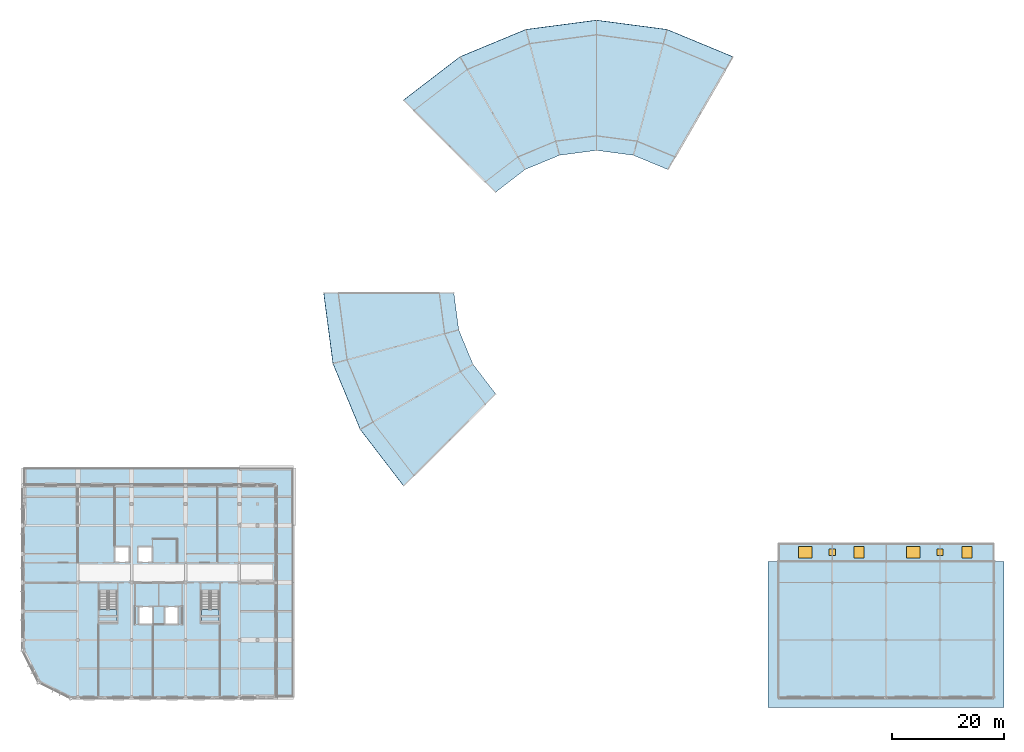
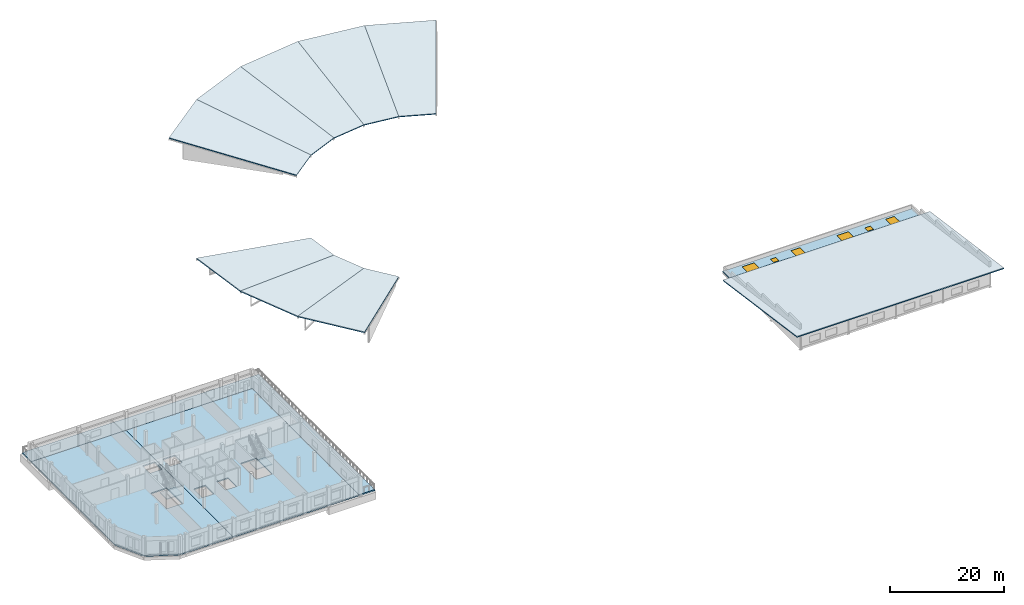
# One storey, part 38 of 70: 15 slabs, 4 windows, 2 doors, 6 openings, 2 elements without a shape of their own.
"""IFC4 building model written with IfcOpenShell, lengths in metres."""

from ifc_helpers import new_model, si_unit, direction, frame, origin, origin_2d, place, context, subcontext, project, spatial, polyline, rectangle, outline, extrude, material, layer, layer_set, type_object, element, fill, aggregate, save


model = new_model("IFC4")

# Units and contexts
model_context = context("Model", 3, precision=1e-05, world=origin(), true_north=direction((0.0, 1.0)))
body_context = subcontext(model_context, "Body", "Model", "MODEL_VIEW")
ifc_project = project(units=[si_unit("LENGTHUNIT", "METRE"), si_unit("AREAUNIT", "SQUARE_METRE"), si_unit("VOLUMEUNIT", "CUBIC_METRE"), si_unit("PLANEANGLEUNIT", "RADIAN"), si_unit("MASSUNIT", "GRAM", prefix="KILO")], contexts=[model_context])

# Site, building, storey
site_placement = place(None, origin())
site = spatial("IfcSite", under=ifc_project, at=site_placement, CompositionType="ELEMENT")
building_placement = place(site_placement, origin())
building = spatial("IfcBuilding", under=site, at=building_placement, Name="Vondelvale Polytechnic", CompositionType="ELEMENT")
storey_placement = place(building_placement, frame((0.0, 0.0, 22.199951171875)))
storey = spatial("IfcBuildingStorey", under=building, at=storey_placement, Name="L05", CompositionType="ELEMENT", Elevation=22.199951171875)

# Slab, openings, doors, windows
ifc_material_1 = material(Name="Concrete N40 (f'c = 40 MPa)", Category="concrete")
ifc_layer_1 = layer(ifc_material_1, 0.179931640625)
ifc_layer_set_1 = layer_set([ifc_layer_1], Name="SLB-CANOPY-180")
slab_type_1 = type_object("IfcSlabType", Name="SLB-CANOPY-180", PredefinedType="ROOF", material=ifc_layer_set_1)
slab_1_placement = place(storey_placement, frame((0.0, 0.0, -0.179931640625)))
slab_1 = element("IfcSlab", 1, at=slab_1_placement, inside=storey, type_object=slab_type_1, Name="Lecture wing North daylight roof monitor slab", PredefinedType="ROOF", context=body_context, shape_type="SweptSolid", body=[
    extrude(outline(polyline([(134.39990234375, 24.199951171875), (172.800048828125, 24.199951171875), (172.800048828125, 27.39990234375), (134.39990234375, 27.39990234375), (134.39990234375, 24.199951171875)])), origin(), (0.0, 0.0, 1.0), 0.179931640625),
])
opening_1_placement = place(slab_1_placement, frame((139.199951171875, 25.800048828125, 0.0)))
opening_1 = element("IfcOpeningElement", 2, at=opening_1_placement, cuts=slab_1, Name="Opening SK-01", PredefinedType="OPENING", context=body_context, shape_type="SweptSolid", body=[
    extrude(rectangle(XDim=2.39990234375, YDim=2.0, at=origin_2d()), origin(), (0.0, 0.0, 1.0), 0.179931640625),
])
opening_2_placement = place(slab_1_placement, frame((148.800048828125, 25.800048828125, 0.0)))
opening_2 = element("IfcOpeningElement", 3, at=opening_2_placement, cuts=slab_1, Name="Opening SK-02", PredefinedType="OPENING", context=body_context, shape_type="SweptSolid", body=[
    extrude(rectangle(XDim=1.800048828125, YDim=2.0, at=origin_2d()), origin(), (0.0, 0.0, 1.0), 0.179931640625),
])
opening_3_placement = place(slab_1_placement, frame((158.39990234375, 25.800048828125, 0.0)))
opening_3 = element("IfcOpeningElement", 4, at=opening_3_placement, cuts=slab_1, Name="Opening SK-03", PredefinedType="OPENING", context=body_context, shape_type="SweptSolid", body=[
    extrude(rectangle(XDim=2.39990234375, YDim=2.0, at=origin_2d()), origin(), (0.0, 0.0, 1.0), 0.179931640625),
])
opening_4_placement = place(slab_1_placement, frame((168.0, 25.800048828125, 0.0)))
opening_4 = element("IfcOpeningElement", 5, at=opening_4_placement, cuts=slab_1, Name="Opening SK-04", PredefinedType="OPENING", context=body_context, shape_type="SweptSolid", body=[
    extrude(rectangle(XDim=1.800048828125, YDim=2.0, at=origin_2d()), origin(), (0.0, 0.0, 1.0), 0.179931640625),
])
opening_5_placement = place(slab_1_placement, frame((144.0, 25.800048828125, 0.0)))
opening_5 = element("IfcOpeningElement", 6, at=opening_5_placement, cuts=slab_1, Name="Opening RH-01", PredefinedType="OPENING", context=body_context, shape_type="SweptSolid", body=[
    extrude(rectangle(XDim=1.10009765625, YDim=1.10009765625, at=origin_2d()), origin(), (0.0, 0.0, 1.0), 0.179931640625),
])
opening_6_placement = place(slab_1_placement, frame((163.199951171875, 25.800048828125, 0.0)))
opening_6 = element("IfcOpeningElement", 7, at=opening_6_placement, cuts=slab_1, Name="Opening RH-02", PredefinedType="OPENING", context=body_context, shape_type="SweptSolid", body=[
    extrude(rectangle(XDim=1.10009765625, YDim=1.10009765625, at=origin_2d()), origin(), (0.0, 0.0, 1.0), 0.179931640625),
])
ifc_material_2 = material(Name="Brushed architectural stainless and zinc-coated metal")
door_type = type_object("IfcDoorType", Name="DR-HATCH-1100x1100", OperationType="SINGLE_SWING_LEFT", PredefinedType="TRAPDOOR", material=ifc_material_2)
door_1_placement = place(opening_5_placement, frame((0.0, 0.0, 0.1298828125)))
door_1 = element("IfcDoor", 8, at=door_1_placement, inside=storey, type_object=door_type, Name="Lecture wing roof maintenance hatch RH-01", OperationType="SINGLE_SWING_LEFT", OverallHeight=1.10009765625, OverallWidth=1.10009765625, PredefinedType="TRAPDOOR", context=body_context, shape_type="SweptSolid", body=[
    extrude(rectangle(XDim=1.10009765625, YDim=1.10009765625, at=origin_2d()), origin(), (0.0, 0.0, 1.0), 0.050048828125),
])
fill(opening_5, door_1)
door_2_placement = place(opening_6_placement, frame((0.0, 0.0, 0.1298828125)))
door_2 = element("IfcDoor", 9, at=door_2_placement, inside=storey, type_object=door_type, Name="Lecture wing roof maintenance hatch RH-02", OperationType="SINGLE_SWING_LEFT", OverallHeight=1.10009765625, OverallWidth=1.10009765625, PredefinedType="TRAPDOOR", context=body_context, shape_type="SweptSolid", body=[
    extrude(rectangle(XDim=1.10009765625, YDim=1.10009765625, at=origin_2d()), origin(), (0.0, 0.0, 1.0), 0.050048828125),
])
fill(opening_6, door_2)
ifc_material_3 = material(Name="Laminated acoustic safety glazing", Category="glass")
window_type_1 = type_object("IfcWindowType", Name="SKY-MOD-1800x2000", PartitioningType="SINGLE_PANEL", PredefinedType="SKYLIGHT", material=ifc_material_3)
window_1_placement = place(opening_2_placement, frame((0.0, 0.0, 0.1298828125)))
window_1 = element("IfcWindow", 10, at=window_1_placement, inside=storey, type_object=window_type_1, Name="Lecture wing daylight roof skylight SK-02", OverallHeight=2.0, OverallWidth=1.800048828125, PartitioningType="SINGLE_PANEL", PredefinedType="SKYLIGHT", context=body_context, shape_type="SweptSolid", body=[
    extrude(rectangle(XDim=1.800048828125, YDim=2.0, at=origin_2d()), origin(), (0.0, 0.0, 1.0), 0.050048828125),
])
fill(opening_2, window_1)
window_2_placement = place(opening_4_placement, frame((0.0, 0.0, 0.1298828125)))
window_2 = element("IfcWindow", 11, at=window_2_placement, inside=storey, type_object=window_type_1, Name="Lecture wing daylight roof skylight SK-04", OverallHeight=2.0, OverallWidth=1.800048828125, PartitioningType="SINGLE_PANEL", PredefinedType="SKYLIGHT", context=body_context, shape_type="SweptSolid", body=[
    extrude(rectangle(XDim=1.800048828125, YDim=2.0, at=origin_2d()), origin(), (0.0, 0.0, 1.0), 0.050048828125),
])
fill(opening_4, window_2)
window_type_2 = type_object("IfcWindowType", Name="SKY-MOD-2400x2000", PartitioningType="SINGLE_PANEL", PredefinedType="SKYLIGHT", material=ifc_material_3)
window_3_placement = place(opening_1_placement, frame((0.0, 0.0, 0.1298828125)))
window_3 = element("IfcWindow", 12, at=window_3_placement, inside=storey, type_object=window_type_2, Name="Lecture wing daylight roof skylight SK-01", OverallHeight=2.0, OverallWidth=2.39990234375, PartitioningType="SINGLE_PANEL", PredefinedType="SKYLIGHT", context=body_context, shape_type="SweptSolid", body=[
    extrude(rectangle(XDim=2.39990234375, YDim=2.0, at=origin_2d()), origin(), (0.0, 0.0, 1.0), 0.050048828125),
])
fill(opening_1, window_3)
window_4_placement = place(opening_3_placement, frame((0.0, 0.0, 0.1298828125)))
window_4 = element("IfcWindow", 13, at=window_4_placement, inside=storey, type_object=window_type_2, Name="Lecture wing daylight roof skylight SK-03", OverallHeight=2.0, OverallWidth=2.39990234375, PartitioningType="SINGLE_PANEL", PredefinedType="SKYLIGHT", context=body_context, shape_type="SweptSolid", body=[
    extrude(rectangle(XDim=2.39990234375, YDim=2.0, at=origin_2d()), origin(), (0.0, 0.0, 1.0), 0.050048828125),
])
fill(opening_3, window_4)

# Slabs
ifc_layer_2 = layer(ifc_material_1, 0.25)
ifc_layer_set_2 = layer_set([ifc_layer_2], Name="SLB-LAB-250")
slab_type_2 = type_object("IfcSlabType", Name="SLB-LAB-250", PredefinedType="FLOOR", material=ifc_layer_set_2)
slab_2_placement = place(storey_placement, frame((0.0, 0.0, -0.25)))
element("IfcSlab", 14, at=slab_2_placement, inside=storey, type_object=slab_type_2, Name="L05 corner wing West slab", PredefinedType="FLOOR", context=body_context, shape_type="SweptSolid", body=[
    extrude(outline(polyline([(8.39990234375, 0.0), (19.199951171875, 0.0), (19.199951171875, 37.60009765625), (0.0, 37.60009765625), (0.0, 8.39990234375), (2.800048828125, 2.800048828125), (8.39990234375, 0.0)]), holes=[polyline([(13.39990234375, 18.75), (13.39990234375, 13.199951171875), (16.60009765625, 13.199951171875), (16.60009765625, 18.75), (13.39990234375, 18.75)]), polyline([(16.300048828125, 24.10009765625), (18.699951171875, 24.10009765625), (18.699951171875, 26.699951171875), (16.300048828125, 26.699951171875), (16.300048828125, 24.10009765625)])]), origin(), (0.0, 0.0, 1.0), 0.25),
])
slab_3_placement = place(storey_placement, frame((0.0, 0.0, -0.25)))
element("IfcSlab", 15, at=slab_3_placement, inside=storey, type_object=slab_type_2, Name="L05 corner wing East slab", PredefinedType="FLOOR", context=body_context, shape_type="SweptSolid", body=[
    extrude(outline(polyline([(19.199951171875, 0.0), (44.800048828125, 0.0), (44.800048828125, 37.60009765625), (19.199951171875, 37.60009765625), (19.199951171875, 0.0)]), holes=[polyline([(31.60009765625, 18.75), (31.60009765625, 13.199951171875), (34.800048828125, 13.199951171875), (34.800048828125, 18.75), (31.60009765625, 18.75)]), polyline([(20.550048828125, 13.050048828125), (22.85009765625, 13.050048828125), (22.85009765625, 16.050048828125), (20.550048828125, 16.050048828125), (20.550048828125, 13.050048828125)]), polyline([(25.14990234375, 13.050048828125), (27.449951171875, 13.050048828125), (27.449951171875, 16.050048828125), (25.14990234375, 16.050048828125), (25.14990234375, 13.050048828125)]), polyline([(20.39990234375, 24.10009765625), (22.800048828125, 24.10009765625), (22.800048828125, 26.699951171875), (20.39990234375, 26.699951171875), (20.39990234375, 24.10009765625)])]), origin(), (0.0, 0.0, 1.0), 0.25),
])

# Stair, slab
stair_type = type_object("IfcStairType", Name="STR-DOG-1500", PredefinedType="HALF_TURN_STAIR", material=ifc_material_1)
stair_1_placement = place(storey_placement, origin())
stair_1 = element("IfcStair", 16, at=stair_1_placement, inside=storey, type_object=stair_type, Name="L05 ST-03", PredefinedType="HALF_TURN_STAIR")
ifc_layer_3 = layer(ifc_material_1, 0.199951171875)
ifc_layer_set_3 = layer_set([ifc_layer_3], Name="SLB-LANDING-200")
slab_type_3 = type_object("IfcSlabType", Name="SLB-LANDING-200", PredefinedType="LANDING", material=ifc_layer_set_3)
slab_4_placement = place(storey_placement, frame((0.0, 0.0, 1.900146484375)))
slab_4 = element("IfcSlab", 17, at=slab_4_placement, type_object=slab_type_3, Name="ST-03 landing 1", PredefinedType="LANDING", context=body_context, shape_type="SweptSolid", body=[
    extrude(outline(polyline([(13.39990234375, 15.614990234375), (13.39990234375, 13.199951171875), (16.60009765625, 13.199951171875), (16.60009765625, 15.614990234375), (13.39990234375, 15.614990234375)])), origin(), (0.0, 0.0, 1.0), 0.199951171875),
])
aggregate(stair_1, [slab_4])

stair_2_placement = place(storey_placement, origin())
stair_2 = element("IfcStair", 18, at=stair_2_placement, inside=storey, type_object=stair_type, Name="L05 ST-04", PredefinedType="HALF_TURN_STAIR")
slab_5_placement = place(storey_placement, frame((0.0, 0.0, 1.900146484375)))
slab_5 = element("IfcSlab", 19, at=slab_5_placement, type_object=slab_type_3, Name="ST-04 landing 1", PredefinedType="LANDING", context=body_context, shape_type="SweptSolid", body=[
    extrude(outline(polyline([(31.60009765625, 15.614990234375), (31.60009765625, 13.199951171875), (34.800048828125, 13.199951171875), (34.800048828125, 15.614990234375), (31.60009765625, 15.614990234375)])), origin(), (0.0, 0.0, 1.0), 0.199951171875),
])
aggregate(stair_2, [slab_5])

# Slabs
ifc_layer_4 = layer(ifc_material_1, 0.199951171875)
ifc_layer_set_4 = layer_set([ifc_layer_4], Name="SLB-ROOF-200")
slab_type_4 = type_object("IfcSlabType", Name="SLB-ROOF-200", PredefinedType="ROOF", material=ifc_layer_set_4)
slab_6_placement = place(storey_placement, frame((132.60009765625, -1.800048828125, 4.300048828125), z_axis=(0.0, 0.139017745797, 0.990289890059), x_axis=(1.0, 0.0, 0.0)))
element("IfcSlab", 20, at=slab_6_placement, inside=storey, type_object=slab_type_4, Name="Lecture wing inward-sloping roof slab", PredefinedType="ROOF", context=body_context, shape_type="SweptSolid", body=[
    extrude(outline(polyline([(0.0, 0.0), (42.0, 0.0), (42.0, 26.254938337747273), (0.0, 26.254938337747273), (0.0, 0.0)])), origin(), (0.0, 0.0, -1.0), 0.199951171875),
])
slab_7_placement = place(storey_placement, frame((114.699951171875, 93.9970703125, 0.300048828125), z_axis=(-0.062376311028, -0.150590999507, 0.986626346035), x_axis=(0.493427837562, 0.854635232916, 0.161640303693)))
element("IfcSlab", 21, at=slab_7_placement, inside=storey, type_object=slab_type_4, Name="Ring inward-sloping dark roof slab sector 04", PredefinedType="ROOF", context=body_context, shape_type="SweptSolid", body=[
    extrude(outline(polyline([(0.0, 0.0), (23.50920965061897, 1.4988010832439613e-15), (21.874973070490455, 12.58151533349702), (-0.854215655375723, 6.575413851727523), (0.0, 0.0)])), origin(), (0.0, 0.0, -1.0), 0.199951171875),
])
slab_8_placement = place(storey_placement, frame((108.573974609375, 96.534423828125, 0.300048828125), z_axis=(-0.021275467916, -0.161603329064, 0.986626433104), x_axis=(0.255414977461, 0.953223858358, 0.161639924354)))
element("IfcSlab", 22, at=slab_8_placement, inside=storey, type_object=slab_type_4, Name="Ring inward-sloping dark roof slab sector 05", PredefinedType="ROOF", context=body_context, shape_type="SweptSolid", body=[
    extrude(outline(polyline([(0.0, 0.0), (23.50934442185768, 1.0408340855860843e-15), (21.875122488874485, 12.581462004047061), (-0.8540968066921539, 6.575463015675313), (0.0, 0.0)])), origin(), (0.0, 0.0, -1.0), 0.199951171875),
])
slab_9_placement = place(storey_placement, frame((102.0, 97.39990234375, 0.300048828125), z_axis=(0.021275467916, -0.161603329064, 0.986626433104), x_axis=(1.6e-10, 0.986849804964, 0.161639915995)))
element("IfcSlab", 23, at=slab_9_placement, inside=storey, type_object=slab_type_4, Name="Ring inward-sloping dark roof slab sector 06", PredefinedType="ROOF", context=body_context, shape_type="SweptSolid", body=[
    extrude(outline(polyline([(0.0, 0.0), (23.50934779261818, 0.0), (21.875118731265488, 12.58146107813212), (-0.8540973053951506, 6.575462950898008), (0.0, 0.0)])), origin(), (0.0, 0.0, -1.0), 0.199951171875),
])
slab_10_placement = place(storey_placement, frame((95.426025390625, 96.534423828125, 0.300048828125), z_axis=(0.062376311028, -0.150590999507, 0.986626346035), x_axis=(-0.255414942232, 0.95322377248, 0.161640486462)))
element("IfcSlab", 24, at=slab_10_placement, inside=storey, type_object=slab_type_4, Name="Ring inward-sloping dark roof slab sector 07", PredefinedType="ROOF", context=body_context, shape_type="SweptSolid", body=[
    extrude(outline(polyline([(0.0, 0.0), (23.509344421853964, 0.0), (21.87505868655071, 12.581508948541707), (-0.853999740453026, 6.575441897749939), (0.0, 0.0)])), origin(), (0.0, 0.0, -1.0), 0.199951171875),
])
slab_11_placement = place(storey_placement, frame((89.300048828125, 93.9970703125, 0.300048828125), z_axis=(0.09922705884, -0.129315091006, 0.986626372054), x_axis=(-0.493427854302, 0.854635215769, 0.161640343248)))
element("IfcSlab", 25, at=slab_11_placement, inside=storey, type_object=slab_type_4, Name="Ring inward-sloping dark roof slab sector 08", PredefinedType="ROOF", context=body_context, shape_type="SweptSolid", body=[
    extrude(outline(polyline([(0.0, 0.0), (23.50920965061948, -2.2898349882893854e-15), (21.87509307989471, 12.58146535201625), (-0.8541622756052316, 6.575527078680868), (0.0, 0.0)])), origin(), (0.0, 0.0, -1.0), 0.199951171875),
])
slab_12_placement = place(storey_placement, frame((76.60009765625, 72.0, 0.300048828125), z_axis=(0.161603329064, 0.021275467916, 0.986626433104), x_axis=(-0.986849804964, 1.6e-10, 0.161639915995)))
element("IfcSlab", 26, at=slab_12_placement, inside=storey, type_object=slab_type_4, Name="Ring inward-sloping dark roof slab sector 12", PredefinedType="ROOF", context=body_context, shape_type="SweptSolid", body=[
    extrude(outline(polyline([(0.0, 0.0), (23.50934779261818, 0.0), (21.875118731265488, 12.58146107813212), (-0.8540973053951506, 6.575462950898008), (0.0, 0.0)])), origin(), (0.0, 0.0, -1.0), 0.199951171875),
])
slab_13_placement = place(storey_placement, frame((77.465576171875, 65.426025390625, 0.300048828125), z_axis=(0.150590999507, 0.062376311028, 0.986626346035), x_axis=(-0.95322377248, -0.255414942232, 0.161640486462)))
element("IfcSlab", 27, at=slab_13_placement, inside=storey, type_object=slab_type_4, Name="Ring inward-sloping dark roof slab sector 13", PredefinedType="ROOF", context=body_context, shape_type="SweptSolid", body=[
    extrude(outline(polyline([(0.0, 0.0), (23.509344421853964, 0.0), (21.87505868655071, 12.581508948541707), (-0.853999740453026, 6.575441897749939), (0.0, 0.0)])), origin(), (0.0, 0.0, -1.0), 0.199951171875),
])
slab_14_placement = place(storey_placement, frame((80.0029296875, 59.300048828125, 0.300048828125), z_axis=(0.129315091006, 0.09922705884, 0.986626372054), x_axis=(-0.854635215769, -0.493427854302, 0.161640343248)))
element("IfcSlab", 28, at=slab_14_placement, inside=storey, type_object=slab_type_4, Name="Ring inward-sloping dark roof slab sector 14", PredefinedType="ROOF", context=body_context, shape_type="SweptSolid", body=[
    extrude(outline(polyline([(0.0, 0.0), (23.50920965061948, -2.2898349882893854e-15), (21.87509307989471, 12.58146535201625), (-0.8541622756052316, 6.575527078680868), (0.0, 0.0)])), origin(), (0.0, 0.0, -1.0), 0.199951171875),
])
ifc_layer_5 = layer(ifc_material_1, 0.260009765625)
ifc_layer_set_5 = layer_set([ifc_layer_5], Name="SLB-TERRACE-260")
slab_type_5 = type_object("IfcSlabType", Name="SLB-TERRACE-260", PredefinedType="FLOOR", material=ifc_layer_set_5)
slab_15_placement = place(storey_placement, frame((0.0, 0.0, -0.260009765625)))
element("IfcSlab", 29, at=slab_15_placement, inside=storey, type_object=slab_type_5, Name="L05 planted courtyard roof garden slab", PredefinedType="FLOOR", context=body_context, shape_type="SweptSolid", body=[
    extrude(outline(polyline([(44.800048828125, 0.0), (48.0, 0.0), (48.0, 40.800048828125), (0.0, 40.800048828125), (0.0, 37.60009765625), (44.800048828125, 37.60009765625), (44.800048828125, 0.0)])), origin(), (0.0, 0.0, 1.0), 0.260009765625),
])

save(model, "model.ifc")
